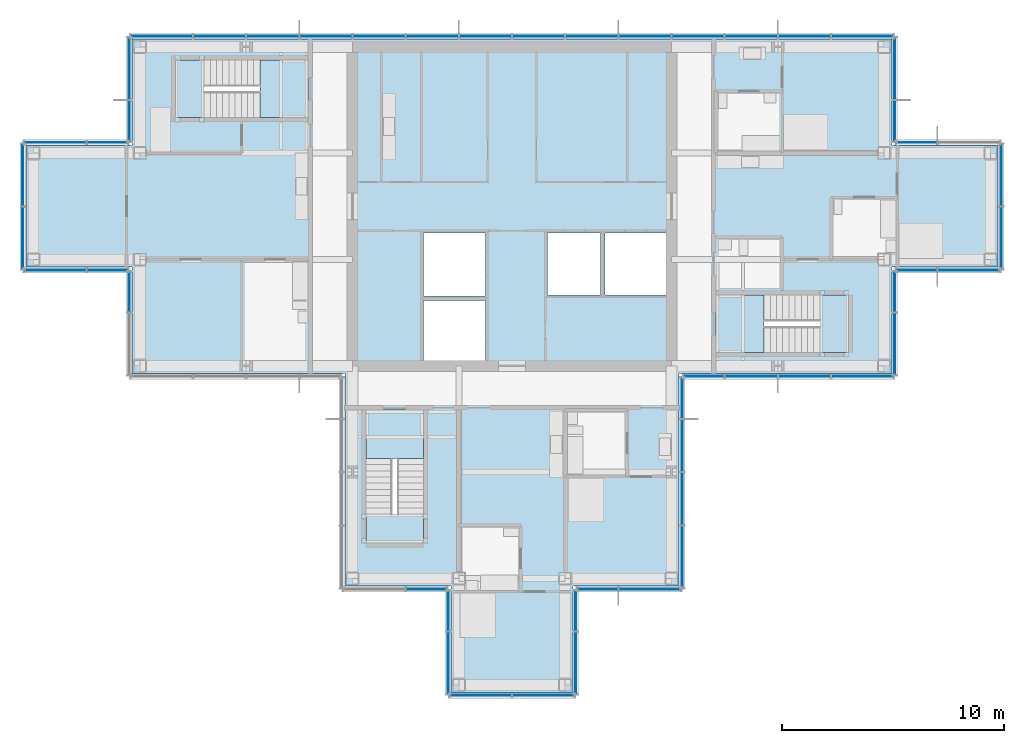
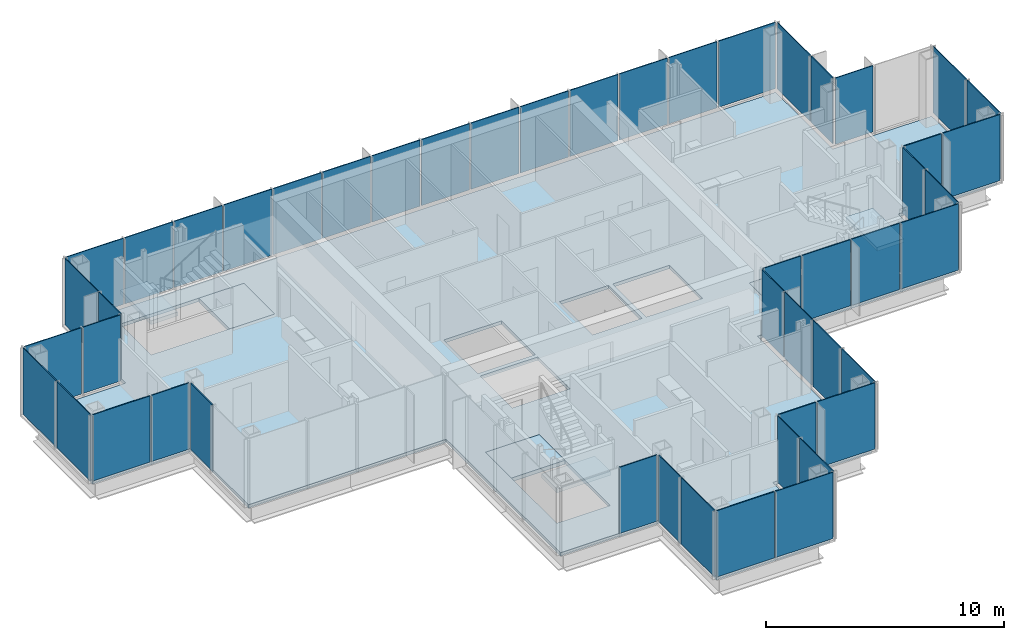
# One storey, part 9 of 15: 49 plates, 7 slabs, 21 elements without a shape of their own.
"""IFC4 building model written with IfcOpenShell, lengths in metres."""

from ifc_helpers import new_model, si_unit, direction, frame, origin, origin_2d, place, context, subcontext, project, spatial, polyline, rectangle, outline, extrude, material, layer, layer_set, type_object, element, aggregate, save


model = new_model("IFC4")

# Units and contexts
model_context = context("Model", 3, precision=1e-05, world=origin(), true_north=direction((0.0, 1.0)))
body_context = subcontext(model_context, "Body", "Model", "MODEL_VIEW")
ifc_project = project(units=[si_unit("LENGTHUNIT", "METRE"), si_unit("AREAUNIT", "SQUARE_METRE"), si_unit("VOLUMEUNIT", "CUBIC_METRE"), si_unit("PLANEANGLEUNIT", "RADIAN"), si_unit("MASSUNIT", "GRAM", prefix="KILO")], contexts=[model_context])

# Site, building, storey
site_placement = place(None, origin())
site = spatial("IfcSite", under=ifc_project, at=site_placement, CompositionType="ELEMENT")
building_placement = place(site_placement, origin())
building = spatial("IfcBuilding", under=site, at=building_placement, Name="Kvirike Care Tower", CompositionType="ELEMENT")
storey_placement = place(building_placement, frame((0.0, 0.0, 222.5)))
storey = spatial("IfcBuildingStorey", under=building, at=storey_placement, Name="L61", CompositionType="ELEMENT", Elevation=222.5)

# Slab
ifc_material_1 = material(Name="Concrete C35/45", Category="concrete")
ifc_layer_1 = layer(ifc_material_1, 0.169921875)
ifc_layer_set_1 = layer_set([ifc_layer_1], Name="FLOOR SLAB 170")
slab_type_1 = type_object("IfcSlabType", Name="FLOOR SLAB 170", PredefinedType="FLOOR", material=ifc_layer_set_1)
slab_1_placement = place(storey_placement, frame((0.0, 0.0, -0.169921875)))
element("IfcSlab", 1, at=slab_1_placement, inside=storey, type_object=slab_type_1, Name="Floor slab L61", PredefinedType="FLOOR", context=body_context, shape_type="SweptSolid", body=[
    extrude(outline(polyline([(29.14990234375, 28.449951171875), (38.75, 28.449951171875), (38.75, 33.25), (43.550048828125, 33.25), (43.550048828125, 38.75), (38.75, 38.75), (38.75, 43.550048828125), (4.449951171875, 43.550048828125), (4.449951171875, 38.75), (-0.35009765625, 38.75), (-0.35009765625, 33.25), (4.449951171875, 33.25), (4.449951171875, 28.449951171875), (14.050048828125, 28.449951171875), (14.050048828125, 18.85009765625), (18.85009765625, 18.85009765625), (18.85009765625, 14.050048828125), (24.35009765625, 14.050048828125), (24.35009765625, 18.85009765625), (29.14990234375, 18.85009765625), (29.14990234375, 28.449951171875)]), holes=[polyline([(17.60009765625, 29.050048828125), (17.60009765625, 31.75), (20.39990234375, 31.75), (20.39990234375, 29.050048828125), (17.60009765625, 29.050048828125)]), polyline([(17.60009765625, 31.949951171875), (17.60009765625, 34.800048828125), (20.39990234375, 34.800048828125), (20.39990234375, 31.949951171875), (17.60009765625, 31.949951171875)]), polyline([(23.199951171875, 32.0), (23.199951171875, 34.800048828125), (25.60009765625, 34.800048828125), (25.60009765625, 32.0), (23.199951171875, 32.0)]), polyline([(25.800048828125, 32.0), (25.800048828125, 34.800048828125), (28.550048828125, 34.800048828125), (28.550048828125, 32.0), (25.800048828125, 32.0)]), polyline([(12.39990234375, 42.60009765625), (12.39990234375, 40.0), (6.39990234375, 40.0), (6.39990234375, 42.60009765625), (12.39990234375, 42.60009765625)]), polyline([(30.800048828125, 29.39990234375), (30.800048828125, 32.0), (36.800048828125, 32.0), (36.800048828125, 29.39990234375), (30.800048828125, 29.39990234375)]), polyline([(15.0, 26.800048828125), (17.60009765625, 26.800048828125), (17.60009765625, 20.800048828125), (15.0, 20.800048828125), (15.0, 26.800048828125)])]), origin(), (0.0, 0.0, 1.0), 0.169921875),
])

# Stair, slabs
ifc_material_2 = material(Name="Concrete C35/45", Category="concrete")
stair_type = type_object("IfcStairType", Name="STAIR 20 RISERS", PredefinedType="HALF_TURN_STAIR", material=ifc_material_2)
stair_1_placement = place(storey_placement, origin())
stair_1 = element("IfcStair", 2, at=stair_1_placement, inside=storey, type_object=stair_type, Name="Stair 1 L61", PredefinedType="HALF_TURN_STAIR")
ifc_material_3 = material(Name="Concrete C35/45", Category="concrete")
ifc_layer_2 = layer(ifc_material_3, 0.199951171875)
ifc_layer_set_2 = layer_set([ifc_layer_2], Name="STAIR LANDING 200")
slab_type_2 = type_object("IfcSlabType", Name="STAIR LANDING 200", PredefinedType="LANDING", material=ifc_layer_set_2)
slab_2_placement = place(storey_placement, frame((0.0, 0.0, -0.199951171875)))
slab_2 = element("IfcSlab", 3, at=slab_2_placement, type_object=slab_type_2, Name="Stair S1 floor landing L61", PredefinedType="LANDING", context=body_context, shape_type="SweptSolid", body=[
    extrude(outline(polyline([(10.219970703125, 42.60009765625), (10.219970703125, 40.0), (12.39990234375, 40.0), (12.39990234375, 42.60009765625), (10.219970703125, 42.60009765625)])), origin(), (0.0, 0.0, 1.0), 0.199951171875),
])
slab_3_placement = place(storey_placement, frame((0.0, 0.0, 1.550048828125)))
slab_3 = element("IfcSlab", 4, at=slab_3_placement, type_object=slab_type_2, Name="Stair S1 half landing L61-L62", PredefinedType="LANDING", context=body_context, shape_type="SweptSolid", body=[
    extrude(outline(polyline([(6.39990234375, 42.60009765625), (6.39990234375, 40.0), (7.699951171875, 40.0), (7.699951171875, 42.60009765625), (6.39990234375, 42.60009765625)])), origin(), (0.0, 0.0, 1.0), 0.199951171875),
])
aggregate(stair_1, [slab_2, slab_3])

stair_2_placement = place(storey_placement, origin())
stair_2 = element("IfcStair", 5, at=stair_2_placement, inside=storey, type_object=stair_type, Name="Stair 2 L61", PredefinedType="HALF_TURN_STAIR")
slab_4_placement = place(storey_placement, frame((0.0, 0.0, -0.199951171875)))
slab_4 = element("IfcSlab", 6, at=slab_4_placement, type_object=slab_type_2, Name="Stair S2 floor landing L61", PredefinedType="LANDING", context=body_context, shape_type="SweptSolid", body=[
    extrude(outline(polyline([(32.97998046875, 29.39990234375), (32.97998046875, 32.0), (30.800048828125, 32.0), (30.800048828125, 29.39990234375), (32.97998046875, 29.39990234375)])), origin(), (0.0, 0.0, 1.0), 0.199951171875),
])
slab_5_placement = place(storey_placement, frame((0.0, 0.0, 1.550048828125)))
slab_5 = element("IfcSlab", 7, at=slab_5_placement, type_object=slab_type_2, Name="Stair S2 half landing L61-L62", PredefinedType="LANDING", context=body_context, shape_type="SweptSolid", body=[
    extrude(outline(polyline([(36.800048828125, 29.39990234375), (36.800048828125, 32.0), (35.5, 32.0), (35.5, 29.39990234375), (36.800048828125, 29.39990234375)])), origin(), (0.0, 0.0, 1.0), 0.199951171875),
])
aggregate(stair_2, [slab_4, slab_5])

stair_3_placement = place(storey_placement, origin())
stair_3 = element("IfcStair", 8, at=stair_3_placement, inside=storey, type_object=stair_type, Name="Stair 5 L61", PredefinedType="HALF_TURN_STAIR")
slab_6_placement = place(storey_placement, frame((0.0, 0.0, -0.199951171875)))
slab_6 = element("IfcSlab", 9, at=slab_6_placement, type_object=slab_type_2, Name="Stair S5 floor landing L61", PredefinedType="LANDING", context=body_context, shape_type="SweptSolid", body=[
    extrude(outline(polyline([(15.0, 24.6201171875), (17.60009765625, 24.6201171875), (17.60009765625, 26.800048828125), (15.0, 26.800048828125), (15.0, 24.6201171875)])), origin(), (0.0, 0.0, 1.0), 0.199951171875),
])
slab_7_placement = place(storey_placement, frame((0.0, 0.0, 1.550048828125)))
slab_7 = element("IfcSlab", 10, at=slab_7_placement, type_object=slab_type_2, Name="Stair S5 half landing L61-L62", PredefinedType="LANDING", context=body_context, shape_type="SweptSolid", body=[
    extrude(outline(polyline([(15.0, 20.800048828125), (17.60009765625, 20.800048828125), (17.60009765625, 22.10009765625), (15.0, 22.10009765625), (15.0, 20.800048828125)])), origin(), (0.0, 0.0, 1.0), 0.199951171875),
])
aggregate(stair_3, [slab_6, slab_7])

# Curtain wall, plates
ifc_material_4 = material(Name="Anodised aluminium stick system", Category="aluminium")
curtain_wall_type = type_object("IfcCurtainWallType", Name="CW-D STICK CURTAIN WALL", PredefinedType="NOTDEFINED", material=ifc_material_4)
curtain_wall_1_placement = place(storey_placement, origin())
curtain_wall_1 = element("IfcCurtainWall", 11, at=curtain_wall_1_placement, inside=storey, type_object=curtain_wall_type, Name="Curtain wall L61 face 1", PredefinedType="NOTDEFINED")
ifc_material_5 = material(Name="Tinted double glazed unit", Category="glass")
ifc_layer_3 = layer(ifc_material_5, 0.0439453125)
ifc_layer_set_3 = layer_set([ifc_layer_3], Name="TINTED VISION PANEL 44")
plate_type = type_object("IfcPlateType", Name="TINTED VISION PANEL 44", PredefinedType="CURTAIN_PANEL", material=ifc_layer_set_3)
plate_1_placement = place(storey_placement, frame((30.25634765625, 28.320068359375, 0.10009765625), z_axis=(0.0, 0.0, 1.0), x_axis=(1.0, 0.0, 0.0)))
plate_1 = element("IfcPlate", 12, at=plate_1_placement, type_object=plate_type, Name="CW-D panel L61 face 1.1", PredefinedType="CURTAIN_PANEL", context=body_context, shape_type="SweptSolid", body=[
    extrude(rectangle(XDim=1.822509765625, YDim=0.0439453125, at=origin_2d()), origin(), (0.0, 0.0, 1.0), 3.39990234375),
])
plate_2_placement = place(storey_placement, frame((32.39990234375, 28.320068359375, 0.10009765625), z_axis=(0.0, 0.0, 1.0), x_axis=(1.0, 0.0, 0.0)))
plate_2 = element("IfcPlate", 13, at=plate_2_placement, type_object=plate_type, Name="CW-D panel L61 face 1.2", PredefinedType="CURTAIN_PANEL", context=body_context, shape_type="SweptSolid", body=[
    extrude(rectangle(XDim=2.3349609375, YDim=0.0439453125, at=origin_2d()), origin(), (0.0, 0.0, 1.0), 3.39990234375),
])
plate_3_placement = place(storey_placement, frame((34.800048828125, 28.320068359375, 0.10009765625), z_axis=(0.0, 0.0, 1.0), x_axis=(1.0, 0.0, 0.0)))
plate_3 = element("IfcPlate", 14, at=plate_3_placement, type_object=plate_type, Name="CW-D panel L61 face 1.3", PredefinedType="CURTAIN_PANEL", context=body_context, shape_type="SweptSolid", body=[
    extrude(rectangle(XDim=2.3349609375, YDim=0.0439453125, at=origin_2d()), origin(), (0.0, 0.0, 1.0), 3.39990234375),
])
plate_4_placement = place(storey_placement, frame((37.423828125, 28.320068359375, 0.10009765625), z_axis=(0.0, 0.0, 1.0), x_axis=(1.0, 0.0, 0.0)))
plate_4 = element("IfcPlate", 15, at=plate_4_placement, type_object=plate_type, Name="CW-D panel L61 face 1.4", PredefinedType="CURTAIN_PANEL", context=body_context, shape_type="SweptSolid", body=[
    extrude(rectangle(XDim=2.782470703125, YDim=0.0439453125, at=origin_2d()), origin(), (0.0, 0.0, 1.0), 3.39990234375),
])
aggregate(curtain_wall_1, [plate_1, plate_2, plate_3, plate_4])

curtain_wall_2_placement = place(storey_placement, origin())
curtain_wall_2 = element("IfcCurtainWall", 16, at=curtain_wall_2_placement, inside=storey, type_object=curtain_wall_type, Name="Curtain wall L61 face 2", PredefinedType="NOTDEFINED")
plate_5_placement = place(storey_placement, frame((38.8798828125, 29.7763671875, 0.10009765625), z_axis=(0.0, 0.0, 1.0), x_axis=(0.0, 1.0, 0.0)))
plate_5 = element("IfcPlate", 17, at=plate_5_placement, type_object=plate_type, Name="CW-D panel L61 face 2.1", PredefinedType="CURTAIN_PANEL", context=body_context, shape_type="SweptSolid", body=[
    extrude(rectangle(XDim=2.782470703125, YDim=0.0439453125, at=origin_2d()), origin(), (0.0, 0.0, 1.0), 3.39990234375),
])
plate_6_placement = place(storey_placement, frame((38.8798828125, 32.143798828125, 0.10009765625), z_axis=(0.0, 0.0, 1.0), x_axis=(0.0, 1.0, 0.0)))
plate_6 = element("IfcPlate", 18, at=plate_6_placement, type_object=plate_type, Name="CW-D panel L61 face 2.2", PredefinedType="CURTAIN_PANEL", context=body_context, shape_type="SweptSolid", body=[
    extrude(rectangle(XDim=1.822509765625, YDim=0.0439453125, at=origin_2d()), origin(), (0.0, 0.0, 1.0), 3.39990234375),
])
aggregate(curtain_wall_2, [plate_5, plate_6])

curtain_wall_3_placement = place(storey_placement, origin())
curtain_wall_3 = element("IfcCurtainWall", 19, at=curtain_wall_3_placement, inside=storey, type_object=curtain_wall_type, Name="Curtain wall L61 face 3", PredefinedType="NOTDEFINED")
plate_7_placement = place(storey_placement, frame((39.856201171875, 33.1201171875, 0.10009765625), z_axis=(0.0, 0.0, 1.0), x_axis=(1.0, 0.0, 0.0)))
plate_7 = element("IfcPlate", 20, at=plate_7_placement, type_object=plate_type, Name="CW-D panel L61 face 3.1", PredefinedType="CURTAIN_PANEL", context=body_context, shape_type="SweptSolid", body=[
    extrude(rectangle(XDim=1.822509765625, YDim=0.0439453125, at=origin_2d()), origin(), (0.0, 0.0, 1.0), 3.39990234375),
])
plate_8_placement = place(storey_placement, frame((42.2236328125, 33.1201171875, 0.10009765625), z_axis=(0.0, 0.0, 1.0), x_axis=(1.0, 0.0, 0.0)))
plate_8 = element("IfcPlate", 21, at=plate_8_placement, type_object=plate_type, Name="CW-D panel L61 face 3.2", PredefinedType="CURTAIN_PANEL", context=body_context, shape_type="SweptSolid", body=[
    extrude(rectangle(XDim=2.782470703125, YDim=0.0439453125, at=origin_2d()), origin(), (0.0, 0.0, 1.0), 3.39990234375),
])
aggregate(curtain_wall_3, [plate_7, plate_8])

curtain_wall_4_placement = place(storey_placement, origin())
curtain_wall_4 = element("IfcCurtainWall", 22, at=curtain_wall_4_placement, inside=storey, type_object=curtain_wall_type, Name="Curtain wall L61 face 4", PredefinedType="NOTDEFINED")
plate_9_placement = place(storey_placement, frame((43.679931640625, 34.576171875, 0.10009765625), z_axis=(0.0, 0.0, 1.0), x_axis=(0.0, 1.0, 0.0)))
plate_9 = element("IfcPlate", 23, at=plate_9_placement, type_object=plate_type, Name="CW-D panel L61 face 4.1", PredefinedType="CURTAIN_PANEL", context=body_context, shape_type="SweptSolid", body=[
    extrude(rectangle(XDim=2.782470703125, YDim=0.0439453125, at=origin_2d()), origin(), (0.0, 0.0, 1.0), 3.39990234375),
])
plate_10_placement = place(storey_placement, frame((43.679931640625, 37.423828125, 0.10009765625), z_axis=(0.0, 0.0, 1.0), x_axis=(0.0, 1.0, 0.0)))
plate_10 = element("IfcPlate", 24, at=plate_10_placement, type_object=plate_type, Name="CW-D panel L61 face 4.2", PredefinedType="CURTAIN_PANEL", context=body_context, shape_type="SweptSolid", body=[
    extrude(rectangle(XDim=2.782470703125, YDim=0.0439453125, at=origin_2d()), origin(), (0.0, 0.0, 1.0), 3.39990234375),
])
aggregate(curtain_wall_4, [plate_9, plate_10])

# Curtain wall, plate
curtain_wall_5_placement = place(storey_placement, origin())
curtain_wall_5 = element("IfcCurtainWall", 25, at=curtain_wall_5_placement, inside=storey, type_object=curtain_wall_type, Name="Curtain wall L61 face 5", PredefinedType="NOTDEFINED")
plate_11_placement = place(storey_placement, frame((39.856201171875, 38.8798828125, 0.10009765625), z_axis=(0.0, 0.0, 1.0), x_axis=(-1.0, 0.0, 0.0)))
plate_11 = element("IfcPlate", 26, at=plate_11_placement, type_object=plate_type, Name="CW-D panel L61 face 5.2", PredefinedType="CURTAIN_PANEL", context=body_context, shape_type="SweptSolid", body=[
    extrude(rectangle(XDim=1.822509765625, YDim=0.0439453125, at=origin_2d()), origin(), (0.0, 0.0, 1.0), 3.39990234375),
])
aggregate(curtain_wall_5, [plate_11])

# Curtain wall, plates
curtain_wall_6_placement = place(storey_placement, origin())
curtain_wall_6 = element("IfcCurtainWall", 27, at=curtain_wall_6_placement, inside=storey, type_object=curtain_wall_type, Name="Curtain wall L61 face 6", PredefinedType="NOTDEFINED")
plate_12_placement = place(storey_placement, frame((38.8798828125, 39.856201171875, 0.10009765625), z_axis=(0.0, 0.0, 1.0), x_axis=(0.0, 1.0, 0.0)))
plate_12 = element("IfcPlate", 28, at=plate_12_placement, type_object=plate_type, Name="CW-D panel L61 face 6.1", PredefinedType="CURTAIN_PANEL", context=body_context, shape_type="SweptSolid", body=[
    extrude(rectangle(XDim=1.822509765625, YDim=0.0439453125, at=origin_2d()), origin(), (0.0, 0.0, 1.0), 3.39990234375),
])
plate_13_placement = place(storey_placement, frame((38.8798828125, 42.2236328125, 0.10009765625), z_axis=(0.0, 0.0, 1.0), x_axis=(0.0, 1.0, 0.0)))
plate_13 = element("IfcPlate", 29, at=plate_13_placement, type_object=plate_type, Name="CW-D panel L61 face 6.2", PredefinedType="CURTAIN_PANEL", context=body_context, shape_type="SweptSolid", body=[
    extrude(rectangle(XDim=2.782470703125, YDim=0.0439453125, at=origin_2d()), origin(), (0.0, 0.0, 1.0), 3.39990234375),
])
aggregate(curtain_wall_6, [plate_12, plate_13])

curtain_wall_7_placement = place(storey_placement, origin())
curtain_wall_7 = element("IfcCurtainWall", 30, at=curtain_wall_7_placement, inside=storey, type_object=curtain_wall_type, Name="Curtain wall L61 face 7", PredefinedType="NOTDEFINED")
plate_14_placement = place(storey_placement, frame((37.423828125, 43.679931640625, 0.10009765625), z_axis=(0.0, 0.0, 1.0), x_axis=(-1.0, 0.0, 0.0)))
plate_14 = element("IfcPlate", 31, at=plate_14_placement, type_object=plate_type, Name="CW-D panel L61 face 7.1", PredefinedType="CURTAIN_PANEL", context=body_context, shape_type="SweptSolid", body=[
    extrude(rectangle(XDim=2.782470703125, YDim=0.0439453125, at=origin_2d()), origin(), (0.0, 0.0, 1.0), 3.39990234375),
])
plate_15_placement = place(storey_placement, frame((34.800048828125, 43.679931640625, 0.10009765625), z_axis=(0.0, 0.0, 1.0), x_axis=(-1.0, 0.0, 0.0)))
plate_15 = element("IfcPlate", 32, at=plate_15_placement, type_object=plate_type, Name="CW-D panel L61 face 7.2", PredefinedType="CURTAIN_PANEL", context=body_context, shape_type="SweptSolid", body=[
    extrude(rectangle(XDim=2.3349609375, YDim=0.0439453125, at=origin_2d()), origin(), (0.0, 0.0, 1.0), 3.39990234375),
])
plate_16_placement = place(storey_placement, frame((32.39990234375, 43.679931640625, 0.10009765625), z_axis=(0.0, 0.0, 1.0), x_axis=(-1.0, 0.0, 0.0)))
plate_16 = element("IfcPlate", 33, at=plate_16_placement, type_object=plate_type, Name="CW-D panel L61 face 7.3", PredefinedType="CURTAIN_PANEL", context=body_context, shape_type="SweptSolid", body=[
    extrude(rectangle(XDim=2.3349609375, YDim=0.0439453125, at=origin_2d()), origin(), (0.0, 0.0, 1.0), 3.39990234375),
])
plate_17_placement = place(storey_placement, frame((30.0, 43.679931640625, 0.10009765625), z_axis=(0.0, 0.0, 1.0), x_axis=(-1.0, 0.0, 0.0)))
plate_17 = element("IfcPlate", 34, at=plate_17_placement, type_object=plate_type, Name="CW-D panel L61 face 7.4", PredefinedType="CURTAIN_PANEL", context=body_context, shape_type="SweptSolid", body=[
    extrude(rectangle(XDim=2.3349609375, YDim=0.0439453125, at=origin_2d()), origin(), (0.0, 0.0, 1.0), 3.39990234375),
])
plate_18_placement = place(storey_placement, frame((27.60009765625, 43.679931640625, 0.10009765625), z_axis=(0.0, 0.0, 1.0), x_axis=(-1.0, 0.0, 0.0)))
plate_18 = element("IfcPlate", 35, at=plate_18_placement, type_object=plate_type, Name="CW-D panel L61 face 7.5", PredefinedType="CURTAIN_PANEL", context=body_context, shape_type="SweptSolid", body=[
    extrude(rectangle(XDim=2.3349609375, YDim=0.0439453125, at=origin_2d()), origin(), (0.0, 0.0, 1.0), 3.39990234375),
])
plate_19_placement = place(storey_placement, frame((25.199951171875, 43.679931640625, 0.10009765625), z_axis=(0.0, 0.0, 1.0), x_axis=(-1.0, 0.0, 0.0)))
plate_19 = element("IfcPlate", 36, at=plate_19_placement, type_object=plate_type, Name="CW-D panel L61 face 7.6", PredefinedType="CURTAIN_PANEL", context=body_context, shape_type="SweptSolid", body=[
    extrude(rectangle(XDim=2.3349609375, YDim=0.0439453125, at=origin_2d()), origin(), (0.0, 0.0, 1.0), 3.39990234375),
])
plate_20_placement = place(storey_placement, frame((22.800048828125, 43.679931640625, 0.10009765625), z_axis=(0.0, 0.0, 1.0), x_axis=(-1.0, 0.0, 0.0)))
plate_20 = element("IfcPlate", 37, at=plate_20_placement, type_object=plate_type, Name="CW-D panel L61 face 7.7", PredefinedType="CURTAIN_PANEL", context=body_context, shape_type="SweptSolid", body=[
    extrude(rectangle(XDim=2.3349609375, YDim=0.0439453125, at=origin_2d()), origin(), (0.0, 0.0, 1.0), 3.39990234375),
])
plate_21_placement = place(storey_placement, frame((20.39990234375, 43.679931640625, 0.10009765625), z_axis=(0.0, 0.0, 1.0), x_axis=(-1.0, 0.0, 0.0)))
plate_21 = element("IfcPlate", 38, at=plate_21_placement, type_object=plate_type, Name="CW-D panel L61 face 7.8", PredefinedType="CURTAIN_PANEL", context=body_context, shape_type="SweptSolid", body=[
    extrude(rectangle(XDim=2.3349609375, YDim=0.0439453125, at=origin_2d()), origin(), (0.0, 0.0, 1.0), 3.39990234375),
])
plate_22_placement = place(storey_placement, frame((18.0, 43.679931640625, 0.10009765625), z_axis=(0.0, 0.0, 1.0), x_axis=(-1.0, 0.0, 0.0)))
plate_22 = element("IfcPlate", 39, at=plate_22_placement, type_object=plate_type, Name="CW-D panel L61 face 7.9", PredefinedType="CURTAIN_PANEL", context=body_context, shape_type="SweptSolid", body=[
    extrude(rectangle(XDim=2.3349609375, YDim=0.0439453125, at=origin_2d()), origin(), (0.0, 0.0, 1.0), 3.39990234375),
])
plate_23_placement = place(storey_placement, frame((15.60009765625, 43.679931640625, 0.10009765625), z_axis=(0.0, 0.0, 1.0), x_axis=(-1.0, 0.0, 0.0)))
plate_23 = element("IfcPlate", 40, at=plate_23_placement, type_object=plate_type, Name="CW-D panel L61 face 7.10", PredefinedType="CURTAIN_PANEL", context=body_context, shape_type="SweptSolid", body=[
    extrude(rectangle(XDim=2.3349609375, YDim=0.0439453125, at=origin_2d()), origin(), (0.0, 0.0, 1.0), 3.39990234375),
])
plate_24_placement = place(storey_placement, frame((13.199951171875, 43.679931640625, 0.10009765625), z_axis=(0.0, 0.0, 1.0), x_axis=(-1.0, 0.0, 0.0)))
plate_24 = element("IfcPlate", 41, at=plate_24_placement, type_object=plate_type, Name="CW-D panel L61 face 7.11", PredefinedType="CURTAIN_PANEL", context=body_context, shape_type="SweptSolid", body=[
    extrude(rectangle(XDim=2.3349609375, YDim=0.0439453125, at=origin_2d()), origin(), (0.0, 0.0, 1.0), 3.39990234375),
])
plate_25_placement = place(storey_placement, frame((10.800048828125, 43.679931640625, 0.10009765625), z_axis=(0.0, 0.0, 1.0), x_axis=(-1.0, 0.0, 0.0)))
plate_25 = element("IfcPlate", 42, at=plate_25_placement, type_object=plate_type, Name="CW-D panel L61 face 7.12", PredefinedType="CURTAIN_PANEL", context=body_context, shape_type="SweptSolid", body=[
    extrude(rectangle(XDim=2.3349609375, YDim=0.0439453125, at=origin_2d()), origin(), (0.0, 0.0, 1.0), 3.39990234375),
])
plate_26_placement = place(storey_placement, frame((8.39990234375, 43.679931640625, 0.10009765625), z_axis=(0.0, 0.0, 1.0), x_axis=(-1.0, 0.0, 0.0)))
plate_26 = element("IfcPlate", 43, at=plate_26_placement, type_object=plate_type, Name="CW-D panel L61 face 7.13", PredefinedType="CURTAIN_PANEL", context=body_context, shape_type="SweptSolid", body=[
    extrude(rectangle(XDim=2.3349609375, YDim=0.0439453125, at=origin_2d()), origin(), (0.0, 0.0, 1.0), 3.39990234375),
])
plate_27_placement = place(storey_placement, frame((5.7763671875, 43.679931640625, 0.10009765625), z_axis=(0.0, 0.0, 1.0), x_axis=(-1.0, 0.0, 0.0)))
plate_27 = element("IfcPlate", 44, at=plate_27_placement, type_object=plate_type, Name="CW-D panel L61 face 7.14", PredefinedType="CURTAIN_PANEL", context=body_context, shape_type="SweptSolid", body=[
    extrude(rectangle(XDim=2.782470703125, YDim=0.0439453125, at=origin_2d()), origin(), (0.0, 0.0, 1.0), 3.39990234375),
])
aggregate(curtain_wall_7, [plate_14, plate_15, plate_16, plate_17, plate_18, plate_19, plate_20, plate_21, plate_22, plate_23, plate_24, plate_25, plate_26, plate_27])

curtain_wall_8_placement = place(storey_placement, origin())
curtain_wall_8 = element("IfcCurtainWall", 45, at=curtain_wall_8_placement, inside=storey, type_object=curtain_wall_type, Name="Curtain wall L61 face 8", PredefinedType="NOTDEFINED")
plate_28_placement = place(storey_placement, frame((4.320068359375, 42.2236328125, 0.10009765625), z_axis=(0.0, 0.0, 1.0), x_axis=(0.0, -1.0, 0.0)))
plate_28 = element("IfcPlate", 46, at=plate_28_placement, type_object=plate_type, Name="CW-D panel L61 face 8.1", PredefinedType="CURTAIN_PANEL", context=body_context, shape_type="SweptSolid", body=[
    extrude(rectangle(XDim=2.782470703125, YDim=0.0439453125, at=origin_2d()), origin(), (0.0, 0.0, 1.0), 3.39990234375),
])
plate_29_placement = place(storey_placement, frame((4.320068359375, 39.856201171875, 0.10009765625), z_axis=(0.0, 0.0, 1.0), x_axis=(0.0, -1.0, 0.0)))
plate_29 = element("IfcPlate", 47, at=plate_29_placement, type_object=plate_type, Name="CW-D panel L61 face 8.2", PredefinedType="CURTAIN_PANEL", context=body_context, shape_type="SweptSolid", body=[
    extrude(rectangle(XDim=1.822509765625, YDim=0.0439453125, at=origin_2d()), origin(), (0.0, 0.0, 1.0), 3.39990234375),
])
aggregate(curtain_wall_8, [plate_28, plate_29])

curtain_wall_9_placement = place(storey_placement, origin())
curtain_wall_9 = element("IfcCurtainWall", 48, at=curtain_wall_9_placement, inside=storey, type_object=curtain_wall_type, Name="Curtain wall L61 face 9", PredefinedType="NOTDEFINED")
plate_30_placement = place(storey_placement, frame((3.34375, 38.8798828125, 0.10009765625), z_axis=(0.0, 0.0, 1.0), x_axis=(-1.0, 0.0, 0.0)))
plate_30 = element("IfcPlate", 49, at=plate_30_placement, type_object=plate_type, Name="CW-D panel L61 face 9.1", PredefinedType="CURTAIN_PANEL", context=body_context, shape_type="SweptSolid", body=[
    extrude(rectangle(XDim=1.822509765625, YDim=0.0439453125, at=origin_2d()), origin(), (0.0, 0.0, 1.0), 3.39990234375),
])
plate_31_placement = place(storey_placement, frame((0.976318359375, 38.8798828125, 0.10009765625), z_axis=(0.0, 0.0, 1.0), x_axis=(-1.0, 0.0, 0.0)))
plate_31 = element("IfcPlate", 50, at=plate_31_placement, type_object=plate_type, Name="CW-D panel L61 face 9.2", PredefinedType="CURTAIN_PANEL", context=body_context, shape_type="SweptSolid", body=[
    extrude(rectangle(XDim=2.782470703125, YDim=0.0439453125, at=origin_2d()), origin(), (0.0, 0.0, 1.0), 3.39990234375),
])
aggregate(curtain_wall_9, [plate_30, plate_31])

curtain_wall_10_placement = place(storey_placement, origin())
curtain_wall_10 = element("IfcCurtainWall", 51, at=curtain_wall_10_placement, inside=storey, type_object=curtain_wall_type, Name="Curtain wall L61 face 10", PredefinedType="NOTDEFINED")
plate_32_placement = place(storey_placement, frame((-0.47998046875, 37.423828125, 0.10009765625), z_axis=(0.0, 0.0, 1.0), x_axis=(0.0, -1.0, 0.0)))
plate_32 = element("IfcPlate", 52, at=plate_32_placement, type_object=plate_type, Name="CW-D panel L61 face 10.1", PredefinedType="CURTAIN_PANEL", context=body_context, shape_type="SweptSolid", body=[
    extrude(rectangle(XDim=2.782470703125, YDim=0.0439453125, at=origin_2d()), origin(), (0.0, 0.0, 1.0), 3.39990234375),
])
plate_33_placement = place(storey_placement, frame((-0.47998046875, 34.576171875, 0.10009765625), z_axis=(0.0, 0.0, 1.0), x_axis=(0.0, -1.0, 0.0)))
plate_33 = element("IfcPlate", 53, at=plate_33_placement, type_object=plate_type, Name="CW-D panel L61 face 10.2", PredefinedType="CURTAIN_PANEL", context=body_context, shape_type="SweptSolid", body=[
    extrude(rectangle(XDim=2.782470703125, YDim=0.0439453125, at=origin_2d()), origin(), (0.0, 0.0, 1.0), 3.39990234375),
])
aggregate(curtain_wall_10, [plate_32, plate_33])

curtain_wall_11_placement = place(storey_placement, origin())
curtain_wall_11 = element("IfcCurtainWall", 54, at=curtain_wall_11_placement, inside=storey, type_object=curtain_wall_type, Name="Curtain wall L61 face 11", PredefinedType="NOTDEFINED")
plate_34_placement = place(storey_placement, frame((0.976318359375, 33.1201171875, 0.10009765625), z_axis=(0.0, 0.0, 1.0), x_axis=(1.0, 0.0, 0.0)))
plate_34 = element("IfcPlate", 55, at=plate_34_placement, type_object=plate_type, Name="CW-D panel L61 face 11.1", PredefinedType="CURTAIN_PANEL", context=body_context, shape_type="SweptSolid", body=[
    extrude(rectangle(XDim=2.782470703125, YDim=0.0439453125, at=origin_2d()), origin(), (0.0, 0.0, 1.0), 3.39990234375),
])
plate_35_placement = place(storey_placement, frame((3.34375, 33.1201171875, 0.10009765625), z_axis=(0.0, 0.0, 1.0), x_axis=(1.0, 0.0, 0.0)))
plate_35 = element("IfcPlate", 56, at=plate_35_placement, type_object=plate_type, Name="CW-D panel L61 face 11.2", PredefinedType="CURTAIN_PANEL", context=body_context, shape_type="SweptSolid", body=[
    extrude(rectangle(XDim=1.822509765625, YDim=0.0439453125, at=origin_2d()), origin(), (0.0, 0.0, 1.0), 3.39990234375),
])
aggregate(curtain_wall_11, [plate_34, plate_35])

# Curtain wall, plate
curtain_wall_12_placement = place(storey_placement, origin())
curtain_wall_12 = element("IfcCurtainWall", 57, at=curtain_wall_12_placement, inside=storey, type_object=curtain_wall_type, Name="Curtain wall L61 face 12", PredefinedType="NOTDEFINED")
plate_36_placement = place(storey_placement, frame((4.320068359375, 32.143798828125, 0.10009765625), z_axis=(0.0, 0.0, 1.0), x_axis=(0.0, -1.0, 0.0)))
plate_36 = element("IfcPlate", 58, at=plate_36_placement, type_object=plate_type, Name="CW-D panel L61 face 12.1", PredefinedType="CURTAIN_PANEL", context=body_context, shape_type="SweptSolid", body=[
    extrude(rectangle(XDim=1.822509765625, YDim=0.0439453125, at=origin_2d()), origin(), (0.0, 0.0, 1.0), 3.39990234375),
])
aggregate(curtain_wall_12, [plate_36])

curtain_wall_13_placement = place(storey_placement, origin())
curtain_wall_13 = element("IfcCurtainWall", 59, at=curtain_wall_13_placement, inside=storey, type_object=curtain_wall_type, Name="Curtain wall L61 face 15", PredefinedType="NOTDEFINED")
plate_37_placement = place(storey_placement, frame((17.74365234375, 18.719970703125, 0.10009765625), z_axis=(0.0, 0.0, 1.0), x_axis=(1.0, 0.0, 0.0)))
plate_37 = element("IfcPlate", 60, at=plate_37_placement, type_object=plate_type, Name="CW-D panel L61 face 15.2", PredefinedType="CURTAIN_PANEL", context=body_context, shape_type="SweptSolid", body=[
    extrude(rectangle(XDim=1.822509765625, YDim=0.0439453125, at=origin_2d()), origin(), (0.0, 0.0, 1.0), 3.39990234375),
])
aggregate(curtain_wall_13, [plate_37])

# Curtain wall, plates
curtain_wall_14_placement = place(storey_placement, origin())
curtain_wall_14 = element("IfcCurtainWall", 61, at=curtain_wall_14_placement, inside=storey, type_object=curtain_wall_type, Name="Curtain wall L61 face 16", PredefinedType="NOTDEFINED")
plate_38_placement = place(storey_placement, frame((18.719970703125, 17.74365234375, 0.10009765625), z_axis=(0.0, 0.0, 1.0), x_axis=(0.0, -1.0, 0.0)))
plate_38 = element("IfcPlate", 62, at=plate_38_placement, type_object=plate_type, Name="CW-D panel L61 face 16.1", PredefinedType="CURTAIN_PANEL", context=body_context, shape_type="SweptSolid", body=[
    extrude(rectangle(XDim=1.822509765625, YDim=0.0439453125, at=origin_2d()), origin(), (0.0, 0.0, 1.0), 3.39990234375),
])
plate_39_placement = place(storey_placement, frame((18.719970703125, 15.376220703125, 0.10009765625), z_axis=(0.0, 0.0, 1.0), x_axis=(0.0, -1.0, 0.0)))
plate_39 = element("IfcPlate", 63, at=plate_39_placement, type_object=plate_type, Name="CW-D panel L61 face 16.2", PredefinedType="CURTAIN_PANEL", context=body_context, shape_type="SweptSolid", body=[
    extrude(rectangle(XDim=2.782470703125, YDim=0.0439453125, at=origin_2d()), origin(), (0.0, 0.0, 1.0), 3.39990234375),
])
aggregate(curtain_wall_14, [plate_38, plate_39])

curtain_wall_15_placement = place(storey_placement, origin())
curtain_wall_15 = element("IfcCurtainWall", 64, at=curtain_wall_15_placement, inside=storey, type_object=curtain_wall_type, Name="Curtain wall L61 face 17", PredefinedType="NOTDEFINED")
plate_40_placement = place(storey_placement, frame((20.17626953125, 13.919921875, 0.10009765625), z_axis=(0.0, 0.0, 1.0), x_axis=(1.0, 0.0, 0.0)))
plate_40 = element("IfcPlate", 65, at=plate_40_placement, type_object=plate_type, Name="CW-D panel L61 face 17.1", PredefinedType="CURTAIN_PANEL", context=body_context, shape_type="SweptSolid", body=[
    extrude(rectangle(XDim=2.782470703125, YDim=0.0439453125, at=origin_2d()), origin(), (0.0, 0.0, 1.0), 3.39990234375),
])
plate_41_placement = place(storey_placement, frame((23.023681640625, 13.919921875, 0.10009765625), z_axis=(0.0, 0.0, 1.0), x_axis=(1.0, 0.0, 0.0)))
plate_41 = element("IfcPlate", 66, at=plate_41_placement, type_object=plate_type, Name="CW-D panel L61 face 17.2", PredefinedType="CURTAIN_PANEL", context=body_context, shape_type="SweptSolid", body=[
    extrude(rectangle(XDim=2.782470703125, YDim=0.0439453125, at=origin_2d()), origin(), (0.0, 0.0, 1.0), 3.39990234375),
])
aggregate(curtain_wall_15, [plate_40, plate_41])

curtain_wall_16_placement = place(storey_placement, origin())
curtain_wall_16 = element("IfcCurtainWall", 67, at=curtain_wall_16_placement, inside=storey, type_object=curtain_wall_type, Name="Curtain wall L61 face 18", PredefinedType="NOTDEFINED")
plate_42_placement = place(storey_placement, frame((24.47998046875, 15.376220703125, 0.10009765625), z_axis=(0.0, 0.0, 1.0), x_axis=(0.0, 1.0, 0.0)))
plate_42 = element("IfcPlate", 68, at=plate_42_placement, type_object=plate_type, Name="CW-D panel L61 face 18.1", PredefinedType="CURTAIN_PANEL", context=body_context, shape_type="SweptSolid", body=[
    extrude(rectangle(XDim=2.782470703125, YDim=0.0439453125, at=origin_2d()), origin(), (0.0, 0.0, 1.0), 3.39990234375),
])
plate_43_placement = place(storey_placement, frame((24.47998046875, 17.74365234375, 0.10009765625), z_axis=(0.0, 0.0, 1.0), x_axis=(0.0, 1.0, 0.0)))
plate_43 = element("IfcPlate", 69, at=plate_43_placement, type_object=plate_type, Name="CW-D panel L61 face 18.2", PredefinedType="CURTAIN_PANEL", context=body_context, shape_type="SweptSolid", body=[
    extrude(rectangle(XDim=1.822509765625, YDim=0.0439453125, at=origin_2d()), origin(), (0.0, 0.0, 1.0), 3.39990234375),
])
aggregate(curtain_wall_16, [plate_42, plate_43])

curtain_wall_17_placement = place(storey_placement, origin())
curtain_wall_17 = element("IfcCurtainWall", 70, at=curtain_wall_17_placement, inside=storey, type_object=curtain_wall_type, Name="Curtain wall L61 face 19", PredefinedType="NOTDEFINED")
plate_44_placement = place(storey_placement, frame((25.456298828125, 18.719970703125, 0.10009765625), z_axis=(0.0, 0.0, 1.0), x_axis=(1.0, 0.0, 0.0)))
plate_44 = element("IfcPlate", 71, at=plate_44_placement, type_object=plate_type, Name="CW-D panel L61 face 19.1", PredefinedType="CURTAIN_PANEL", context=body_context, shape_type="SweptSolid", body=[
    extrude(rectangle(XDim=1.822509765625, YDim=0.0439453125, at=origin_2d()), origin(), (0.0, 0.0, 1.0), 3.39990234375),
])
plate_45_placement = place(storey_placement, frame((27.82373046875, 18.719970703125, 0.10009765625), z_axis=(0.0, 0.0, 1.0), x_axis=(1.0, 0.0, 0.0)))
plate_45 = element("IfcPlate", 72, at=plate_45_placement, type_object=plate_type, Name="CW-D panel L61 face 19.2", PredefinedType="CURTAIN_PANEL", context=body_context, shape_type="SweptSolid", body=[
    extrude(rectangle(XDim=2.782470703125, YDim=0.0439453125, at=origin_2d()), origin(), (0.0, 0.0, 1.0), 3.39990234375),
])
aggregate(curtain_wall_17, [plate_44, plate_45])

curtain_wall_18_placement = place(storey_placement, origin())
curtain_wall_18 = element("IfcCurtainWall", 73, at=curtain_wall_18_placement, inside=storey, type_object=curtain_wall_type, Name="Curtain wall L61 face 20", PredefinedType="NOTDEFINED")
plate_46_placement = place(storey_placement, frame((29.280029296875, 20.17626953125, 0.10009765625), z_axis=(0.0, 0.0, 1.0), x_axis=(0.0, 1.0, 0.0)))
plate_46 = element("IfcPlate", 74, at=plate_46_placement, type_object=plate_type, Name="CW-D panel L61 face 20.1", PredefinedType="CURTAIN_PANEL", context=body_context, shape_type="SweptSolid", body=[
    extrude(rectangle(XDim=2.782470703125, YDim=0.0439453125, at=origin_2d()), origin(), (0.0, 0.0, 1.0), 3.39990234375),
])
plate_47_placement = place(storey_placement, frame((29.280029296875, 22.800048828125, 0.10009765625), z_axis=(0.0, 0.0, 1.0), x_axis=(0.0, 1.0, 0.0)))
plate_47 = element("IfcPlate", 75, at=plate_47_placement, type_object=plate_type, Name="CW-D panel L61 face 20.2", PredefinedType="CURTAIN_PANEL", context=body_context, shape_type="SweptSolid", body=[
    extrude(rectangle(XDim=2.3349609375, YDim=0.0439453125, at=origin_2d()), origin(), (0.0, 0.0, 1.0), 3.39990234375),
])
plate_48_placement = place(storey_placement, frame((29.280029296875, 25.199951171875, 0.10009765625), z_axis=(0.0, 0.0, 1.0), x_axis=(0.0, 1.0, 0.0)))
plate_48 = element("IfcPlate", 76, at=plate_48_placement, type_object=plate_type, Name="CW-D panel L61 face 20.3", PredefinedType="CURTAIN_PANEL", context=body_context, shape_type="SweptSolid", body=[
    extrude(rectangle(XDim=2.3349609375, YDim=0.0439453125, at=origin_2d()), origin(), (0.0, 0.0, 1.0), 3.39990234375),
])
plate_49_placement = place(storey_placement, frame((29.280029296875, 27.34375, 0.10009765625), z_axis=(0.0, 0.0, 1.0), x_axis=(0.0, 1.0, 0.0)))
plate_49 = element("IfcPlate", 77, at=plate_49_placement, type_object=plate_type, Name="CW-D panel L61 face 20.4", PredefinedType="CURTAIN_PANEL", context=body_context, shape_type="SweptSolid", body=[
    extrude(rectangle(XDim=1.822509765625, YDim=0.0439453125, at=origin_2d()), origin(), (0.0, 0.0, 1.0), 3.39990234375),
])
aggregate(curtain_wall_18, [plate_46, plate_47, plate_48, plate_49])

save(model, "model.ifc")
